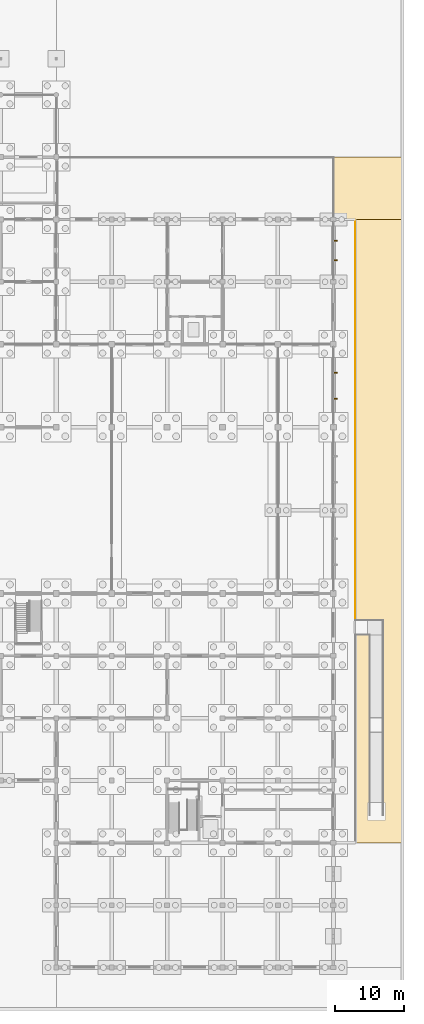
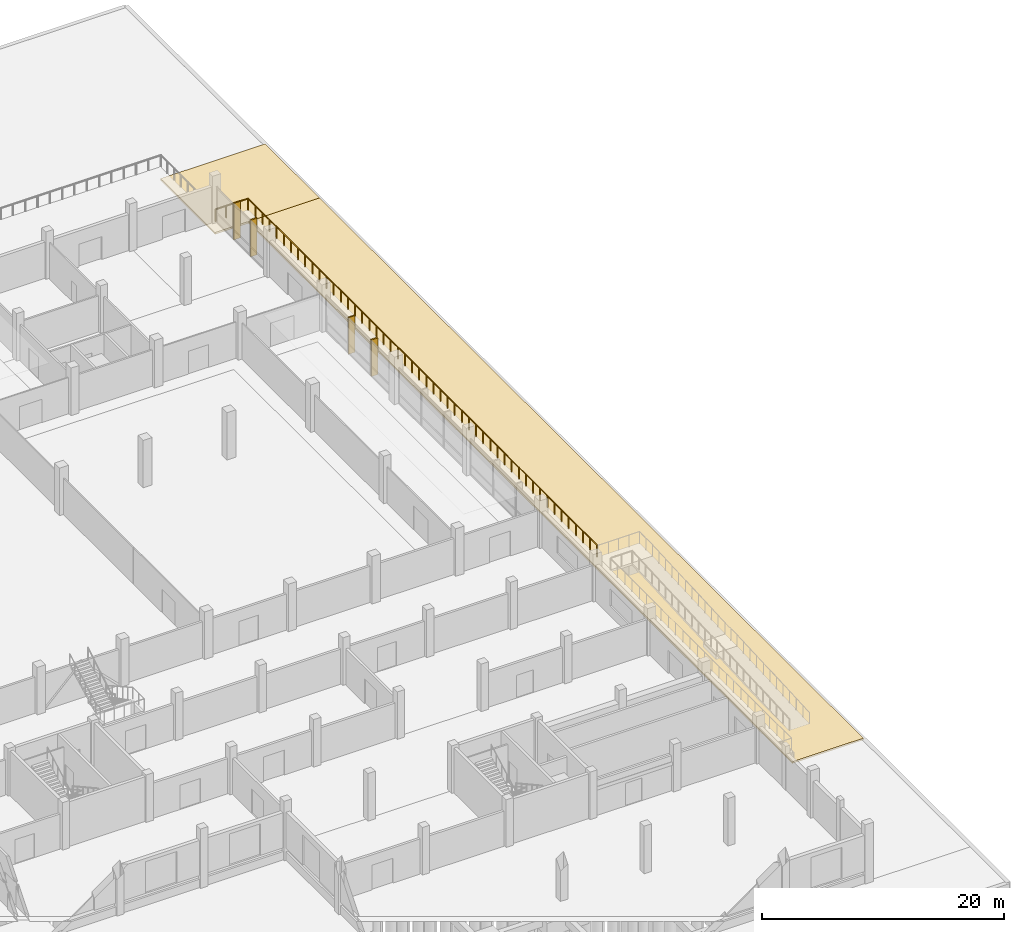
# One storey, part 69 of 72: 4 shading devices, 2 coverings, 1 railing.
"""IFC4 building model written with IfcOpenShell, lengths in metres."""

from ifc_helpers import new_model, si_unit, direction, frame, origin, origin_2d, place, context, subcontext, project, spatial, polyline, rectangle, circle, outline, extrude, material, layer, layer_set, type_object, element, save


model = new_model("IFC4")

# Units and contexts
model_context = context("Model", 3, precision=1e-05, world=origin(), true_north=direction((0.0, 1.0)))
body_context = subcontext(model_context, "Body", "Model", "MODEL_VIEW")
ifc_project = project(units=[si_unit("LENGTHUNIT", "METRE"), si_unit("AREAUNIT", "SQUARE_METRE"), si_unit("VOLUMEUNIT", "CUBIC_METRE"), si_unit("PLANEANGLEUNIT", "RADIAN"), si_unit("MASSUNIT", "GRAM", prefix="KILO"), si_unit("THERMODYNAMICTEMPERATUREUNIT", "KELVIN"), si_unit("POWERUNIT", "WATT")], contexts=[model_context])

# Site, building, storey
site_placement = place(None, origin())
site = spatial("IfcSite", under=ifc_project, at=site_placement, CompositionType="ELEMENT")
building_placement = place(site_placement, origin())
building = spatial("IfcBuilding", under=site, at=building_placement, Name="Kronsvod Quay Wholesale Market", CompositionType="ELEMENT")
storey_placement = place(building_placement, origin())
storey = spatial("IfcBuildingStorey", under=building, at=storey_placement, Name="L00", CompositionType="ELEMENT", Elevation=0.0)

# Coverings
ifc_material_1 = material(Name="Natural granite harbour quay paving", Category="masonry")
ifc_layer = layer(ifc_material_1, 0.179931640625)
ifc_layer_set = layer_set([ifc_layer], Name="Natural granite harbour quay paving")
covering_type = type_object("IfcCoveringType", Name="Cov_SitePaving160", PredefinedType="USERDEFINED", material=ifc_layer_set)
covering_1_placement = place(storey_placement, frame((0.0, 0.0, -1.3798828125)))
element("IfcCovering", 1, at=covering_1_placement, inside=storey, type_object=covering_type, Name="PAV-APR-E1", ObjectType="PAVING", PredefinedType="USERDEFINED", context=body_context, shape_type="SweptSolid", body=[
    extrude(outline(polyline([(195.199951171875, 18.0), (202.0, 18.0), (202.0, 108.0), (195.199951171875, 108.0), (195.199951171875, 18.0)])), origin(), (0.0, 0.0, 1.0), 0.179931640625),
])
covering_2_placement = place(storey_placement, frame((0.0, 0.0, -1.3798828125)))
element("IfcCovering", 2, at=covering_2_placement, inside=storey, type_object=covering_type, Name="PAV-APR-E2", ObjectType="PAVING", PredefinedType="USERDEFINED", context=body_context, shape_type="SweptSolid", body=[
    extrude(outline(polyline([(192.0, 108.0), (202.0, 108.0), (202.0, 117.0), (192.0, 117.0), (192.0, 108.0)])), origin(), (0.0, 0.0, 1.0), 0.179931640625),
])

# Railing
ifc_material_2 = material(Name="Stainless steel", Category="steel")
railing_type = type_object("IfcRailingType", Name="Railing_Guard1200", PredefinedType="GUARDRAIL", material=ifc_material_2)
railing_placement = place(storey_placement, frame((195.14990234375, 50.199951171875, 0.0)))
element("IfcRailing", 3, at=railing_placement, inside=storey, type_object=railing_type, Name="GRD-L00-E2", PredefinedType="GUARDRAIL", context=body_context, shape_type="SweptSolid", body=[
    extrude(circle(Radius=0.02392578125, at=origin_2d()), frame((0.0, 0.0, 1.17578125), z_axis=(0.0, 1.0, 0.0), x_axis=(-1.0, 0.0, 0.0)), (0.0, 0.0, 1.0), 57.75),
    extrude(circle(Radius=0.02392578125, at=origin_2d()), frame((0.0, 57.75, 1.17578125), z_axis=(-1.0, 0.0, 0.0), x_axis=(0.0, -1.0, 0.0)), (0.0, 0.0, 1.0), 3.14990234375),
    extrude(circle(Radius=0.02099609375, at=origin_2d()), origin(), (0.0, 0.0, 1.0), 1.15185546875),
    extrude(circle(Radius=0.02099609375, at=origin_2d()), frame((0.0, 1.178466796875, 0.0)), (0.0, 0.0, 1.0), 1.15185546875),
    extrude(circle(Radius=0.02099609375, at=origin_2d()), frame((0.0, 2.357177734375, 0.0)), (0.0, 0.0, 1.0), 1.15185546875),
    extrude(circle(Radius=0.02099609375, at=origin_2d()), frame((0.0, 3.53564453125, 0.0)), (0.0, 0.0, 1.0), 1.15185546875),
    extrude(circle(Radius=0.02099609375, at=origin_2d()), frame((0.0, 4.71435546875, 0.0)), (0.0, 0.0, 1.0), 1.15185546875),
    extrude(circle(Radius=0.02099609375, at=origin_2d()), frame((0.0, 5.892822265625, 0.0)), (0.0, 0.0, 1.0), 1.15185546875),
    extrude(circle(Radius=0.02099609375, at=origin_2d()), frame((0.0, 7.071533203125, 0.0)), (0.0, 0.0, 1.0), 1.15185546875),
    extrude(circle(Radius=0.02099609375, at=origin_2d()), frame((0.0, 8.25, 0.0)), (0.0, 0.0, 1.0), 1.15185546875),
    extrude(circle(Radius=0.02099609375, at=origin_2d()), frame((0.0, 9.428466796875, 0.0)), (0.0, 0.0, 1.0), 1.15185546875),
    extrude(circle(Radius=0.02099609375, at=origin_2d()), frame((0.0, 10.607177734375, 0.0)), (0.0, 0.0, 1.0), 1.15185546875),
    extrude(circle(Radius=0.02099609375, at=origin_2d()), frame((0.0, 11.78564453125, 0.0)), (0.0, 0.0, 1.0), 1.15185546875),
    extrude(circle(Radius=0.02099609375, at=origin_2d()), frame((0.0, 12.96435546875, 0.0)), (0.0, 0.0, 1.0), 1.15185546875),
    extrude(circle(Radius=0.02099609375, at=origin_2d()), frame((0.0, 14.142822265625, 0.0)), (0.0, 0.0, 1.0), 1.15185546875),
    extrude(circle(Radius=0.02099609375, at=origin_2d()), frame((0.0, 15.321533203125, 0.0)), (0.0, 0.0, 1.0), 1.15185546875),
    extrude(circle(Radius=0.02099609375, at=origin_2d()), frame((0.0, 16.5, 0.0)), (0.0, 0.0, 1.0), 1.15185546875),
    extrude(circle(Radius=0.02099609375, at=origin_2d()), frame((0.0, 17.678466796875, 0.0)), (0.0, 0.0, 1.0), 1.15185546875),
    extrude(circle(Radius=0.02099609375, at=origin_2d()), frame((0.0, 18.857177734375, 0.0)), (0.0, 0.0, 1.0), 1.15185546875),
    extrude(circle(Radius=0.02099609375, at=origin_2d()), frame((0.0, 20.03564453125, 0.0)), (0.0, 0.0, 1.0), 1.15185546875),
    extrude(circle(Radius=0.02099609375, at=origin_2d()), frame((0.0, 21.21435546875, 0.0)), (0.0, 0.0, 1.0), 1.15185546875),
    extrude(circle(Radius=0.02099609375, at=origin_2d()), frame((0.0, 22.392822265625, 0.0)), (0.0, 0.0, 1.0), 1.15185546875),
    extrude(circle(Radius=0.02099609375, at=origin_2d()), frame((0.0, 23.571533203125, 0.0)), (0.0, 0.0, 1.0), 1.15185546875),
    extrude(circle(Radius=0.02099609375, at=origin_2d()), frame((0.0, 24.75, 0.0)), (0.0, 0.0, 1.0), 1.15185546875),
    extrude(circle(Radius=0.02099609375, at=origin_2d()), frame((0.0, 25.928466796875, 0.0)), (0.0, 0.0, 1.0), 1.15185546875),
    extrude(circle(Radius=0.02099609375, at=origin_2d()), frame((0.0, 27.107177734375, 0.0)), (0.0, 0.0, 1.0), 1.15185546875),
    extrude(circle(Radius=0.02099609375, at=origin_2d()), frame((0.0, 28.28564453125, 0.0)), (0.0, 0.0, 1.0), 1.15185546875),
    extrude(circle(Radius=0.02099609375, at=origin_2d()), frame((0.0, 29.46435546875, 0.0)), (0.0, 0.0, 1.0), 1.15185546875),
    extrude(circle(Radius=0.02099609375, at=origin_2d()), frame((0.0, 30.642822265625, 0.0)), (0.0, 0.0, 1.0), 1.15185546875),
    extrude(circle(Radius=0.02099609375, at=origin_2d()), frame((0.0, 31.821533203125, 0.0)), (0.0, 0.0, 1.0), 1.15185546875),
    extrude(circle(Radius=0.02099609375, at=origin_2d()), frame((0.0, 33.0, 0.0)), (0.0, 0.0, 1.0), 1.15185546875),
    extrude(circle(Radius=0.02099609375, at=origin_2d()), frame((0.0, 34.178466796875, 0.0)), (0.0, 0.0, 1.0), 1.15185546875),
    extrude(circle(Radius=0.02099609375, at=origin_2d()), frame((0.0, 35.357177734375, 0.0)), (0.0, 0.0, 1.0), 1.15185546875),
    extrude(circle(Radius=0.02099609375, at=origin_2d()), frame((0.0, 36.53564453125, 0.0)), (0.0, 0.0, 1.0), 1.15185546875),
    extrude(circle(Radius=0.02099609375, at=origin_2d()), frame((0.0, 37.71435546875, 0.0)), (0.0, 0.0, 1.0), 1.15185546875),
    extrude(circle(Radius=0.02099609375, at=origin_2d()), frame((0.0, 38.892822265625, 0.0)), (0.0, 0.0, 1.0), 1.15185546875),
    extrude(circle(Radius=0.02099609375, at=origin_2d()), frame((0.0, 40.071533203125, 0.0)), (0.0, 0.0, 1.0), 1.15185546875),
    extrude(circle(Radius=0.02099609375, at=origin_2d()), frame((0.0, 41.25, 0.0)), (0.0, 0.0, 1.0), 1.15185546875),
    extrude(circle(Radius=0.02099609375, at=origin_2d()), frame((0.0, 42.428466796875, 0.0)), (0.0, 0.0, 1.0), 1.15185546875),
    extrude(circle(Radius=0.02099609375, at=origin_2d()), frame((0.0, 43.607177734375, 0.0)), (0.0, 0.0, 1.0), 1.15185546875),
    extrude(circle(Radius=0.02099609375, at=origin_2d()), frame((0.0, 44.78564453125, 0.0)), (0.0, 0.0, 1.0), 1.15185546875),
    extrude(circle(Radius=0.02099609375, at=origin_2d()), frame((0.0, 45.96435546875, 0.0)), (0.0, 0.0, 1.0), 1.15185546875),
    extrude(circle(Radius=0.02099609375, at=origin_2d()), frame((0.0, 47.142822265625, 0.0)), (0.0, 0.0, 1.0), 1.15185546875),
    extrude(circle(Radius=0.02099609375, at=origin_2d()), frame((0.0, 48.321533203125, 0.0)), (0.0, 0.0, 1.0), 1.15185546875),
    extrude(circle(Radius=0.02099609375, at=origin_2d()), frame((0.0, 49.5, 0.0)), (0.0, 0.0, 1.0), 1.15185546875),
    extrude(circle(Radius=0.02099609375, at=origin_2d()), frame((0.0, 50.678466796875, 0.0)), (0.0, 0.0, 1.0), 1.15185546875),
    extrude(circle(Radius=0.02099609375, at=origin_2d()), frame((0.0, 51.857177734375, 0.0)), (0.0, 0.0, 1.0), 1.15185546875),
    extrude(circle(Radius=0.02099609375, at=origin_2d()), frame((0.0, 53.03564453125, 0.0)), (0.0, 0.0, 1.0), 1.15185546875),
    extrude(circle(Radius=0.02099609375, at=origin_2d()), frame((0.0, 54.21435546875, 0.0)), (0.0, 0.0, 1.0), 1.15185546875),
    extrude(circle(Radius=0.02099609375, at=origin_2d()), frame((0.0, 55.392822265625, 0.0)), (0.0, 0.0, 1.0), 1.15185546875),
    extrude(circle(Radius=0.02099609375, at=origin_2d()), frame((0.0, 56.571533203125, 0.0)), (0.0, 0.0, 1.0), 1.15185546875),
    extrude(circle(Radius=0.02099609375, at=origin_2d()), frame((0.0, 57.75, 0.0)), (0.0, 0.0, 1.0), 1.15185546875),
    extrude(circle(Radius=0.02099609375, at=origin_2d()), frame((-1.050048828125, 57.75, 0.0)), (0.0, 0.0, 1.0), 1.15185546875),
    extrude(circle(Radius=0.02099609375, at=origin_2d()), frame((-2.099853515625, 57.75, 0.0)), (0.0, 0.0, 1.0), 1.15185546875),
    extrude(circle(Radius=0.02099609375, at=origin_2d()), frame((-3.14990234375, 57.75, 0.0)), (0.0, 0.0, 1.0), 1.15185546875),
])

# Shading devices
ifc_material_3 = material(Name="Anodised aluminium", Category="aluminium")
shading_device_type = type_object("IfcShadingDeviceType", Name="Shade_SolarFin", PredefinedType="AWNING", material=ifc_material_3)
for number, where, z_axis, x_axis, name in (
    (4, (192.280029296875, 82.148193359375, -0.02001953125), (0.0, 0.0, 1.0), (1.0, 0.0, 0.0), "SHDF-CWGY-L00-1920-780-821"),
    (5, (192.280029296875, 85.876708984375, -0.02001953125), (0.0, 0.0, 1.0), (1.0, 0.0, 0.0), "SHDF-CWGY-L00-1920-780-859"),
    (6, (192.280029296875, 102.098388671875, -0.02001953125), (0.0, 0.0, 1.0), (1.0, 0.0, 0.0), "SHDF-CWGY-L00-1920-990-1021"),
    (7, (192.280029296875, 104.901611328125, -0.02001953125), (0.0, 0.0, 1.0), (1.0, 0.0, 0.0), "SHDF-CWGY-L00-1920-990-1049"),
):
    element("IfcShadingDevice", number, at=place(storey_placement, frame(where, z_axis=z_axis, x_axis=x_axis)), inside=storey, type_object=shading_device_type, Name=name, PredefinedType="AWNING", context=body_context, shape_type="SweptSolid", body=[
        extrude(rectangle(XDim=0.6201171875, YDim=0.139892578125, at=origin_2d()), origin(), (0.0, 0.0, 1.0), 3.68994140625),
    ])

save(model, "model.ifc")
